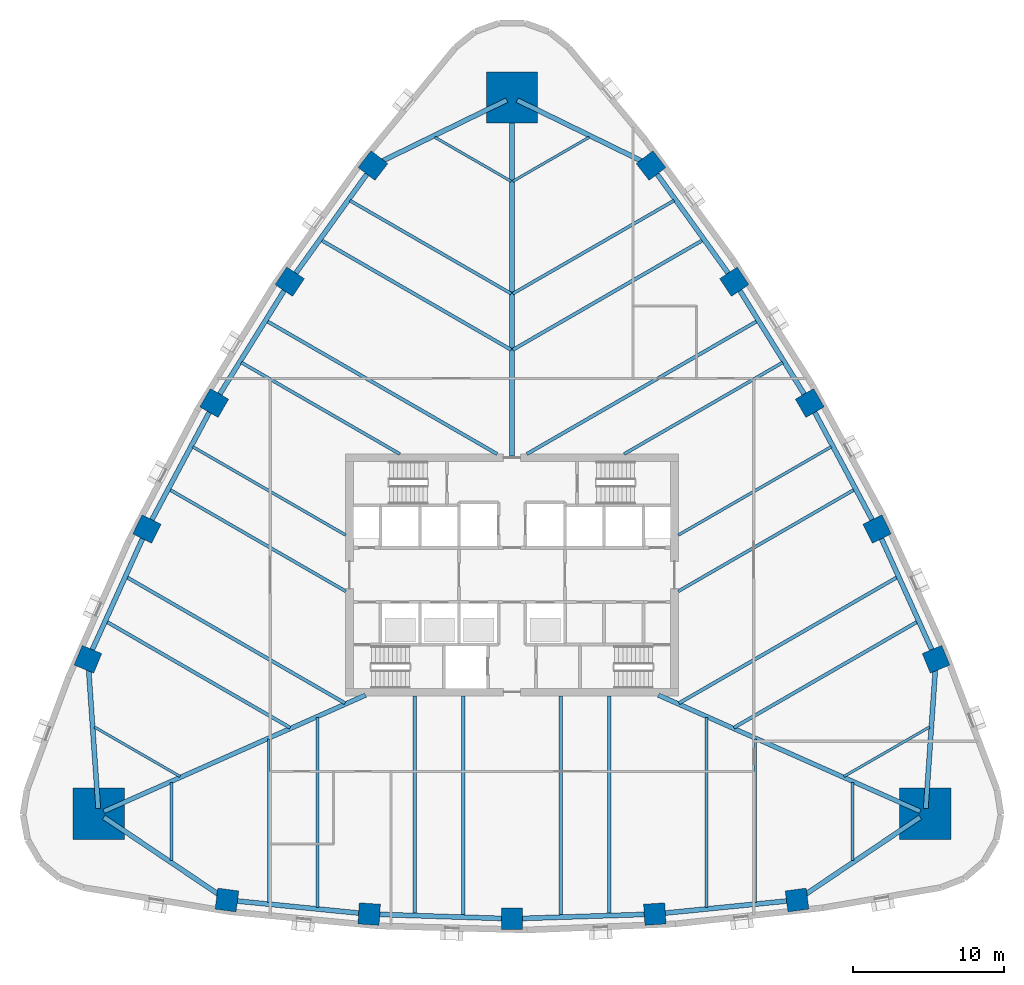
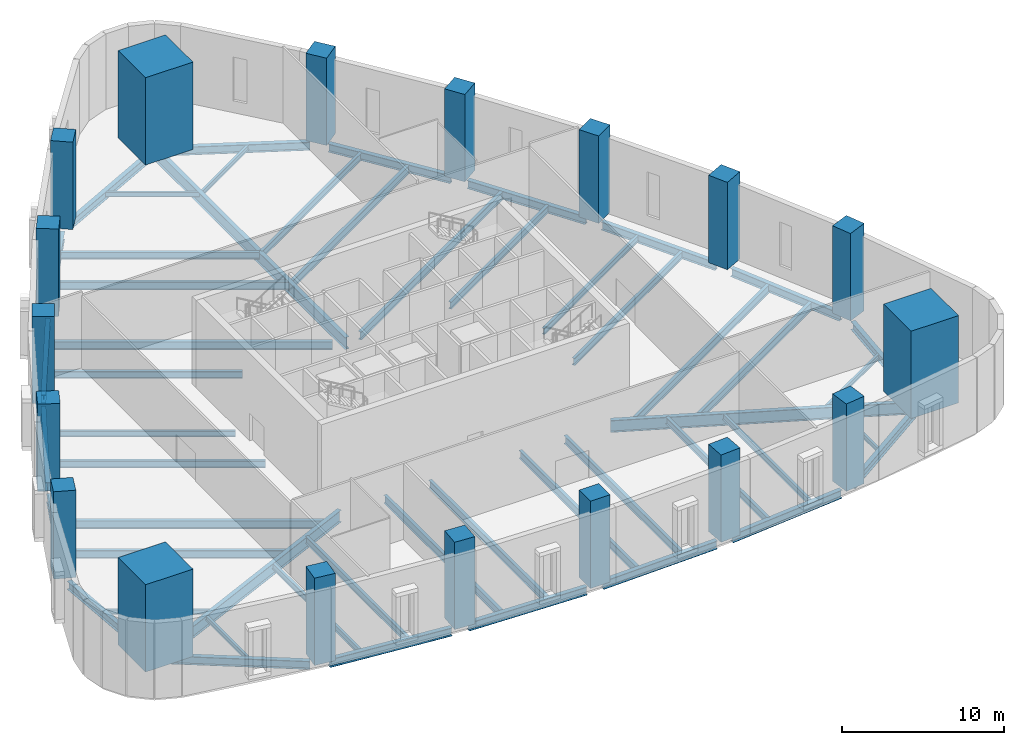
# One storey, part 1 of 11: 51 beams, 18 columns.
"""IFC4 building model written with IfcOpenShell, lengths in metres."""

from ifc_helpers import new_model, si_unit, direction, frame, origin, origin_2d, place, context, subcontext, project, spatial, rectangle, i_section, extrude, material, material_profile, profile_set, type_object, element, save


model = new_model("IFC4")

# Units and contexts
model_context = context("Model", 3, precision=1e-05, world=origin(), true_north=direction((0.0, 1.0)))
body_context = subcontext(model_context, "Body", "Model", "MODEL_VIEW")
ifc_project = project(units=[si_unit("LENGTHUNIT", "METRE"), si_unit("AREAUNIT", "SQUARE_METRE"), si_unit("VOLUMEUNIT", "CUBIC_METRE"), si_unit("PLANEANGLEUNIT", "RADIAN"), si_unit("MASSUNIT", "GRAM", prefix="KILO")], contexts=[model_context])

# Site, building, storey
site_placement = place(None, origin())
site = spatial("IfcSite", under=ifc_project, at=site_placement, CompositionType="ELEMENT")
building_placement = place(site_placement, origin())
building = spatial("IfcBuilding", under=site, at=building_placement, Name="Sierra Prisma Convention Tower", CompositionType="ELEMENT")
storey_placement = place(building_placement, frame((0.0, 0.0, 22.199951171875)))
storey = spatial("IfcBuildingStorey", under=building, at=storey_placement, Name="L03", CompositionType="ELEMENT", Elevation=22.199951171875)

# Columns
ifc_material_1 = material(Name="Concrete C70/85", Category="concrete")
ifc_material_profile_1 = material_profile(ifc_material_1, rectangle(XDim=3.39990234375, YDim=3.39990234375, at=origin_2d()), Name="Mega column RC 3400 C70/85")
ifc_profile_set_1 = profile_set([ifc_material_profile_1], Name="Concrete C70/85")
column_type_1 = type_object("IfcColumnType", Name="Mega column RC 3400 C70/85", PredefinedType="COLUMN", material=ifc_profile_set_1)
for number, where, z_axis, x_axis, name in (
    (1, (27.35498046875, -15.79345703125, 0.0), (0.0, 0.0, 1.0), (1.0, 0.0, 0.0), "Mega column SE L03"),
    (2, (0.0, 31.5869140625, 0.0), (0.0, 0.0, 1.0), (1.0, 0.0, 0.0), "Mega column N L03"),
    (3, (-27.35498046875, -15.79345703125, 0.0), (0.0, 0.0, 1.0), (1.0, 0.0, 0.0), "Mega column SW L03"),
):
    element("IfcColumn", number, at=place(storey_placement, frame(where, z_axis=z_axis, x_axis=x_axis)), inside=storey, type_object=column_type_1, Name=name, PredefinedType="COLUMN", context=body_context, shape_type="SweptSolid", body=[
        extrude(rectangle(XDim=3.39990234375, YDim=3.39990234375, at=origin_2d()), origin(), (0.0, 0.0, 1.0), 6.60009765625),
    ])
ifc_material_2 = material(Name="Concrete C70/85", Category="concrete")
ifc_material_profile_2 = material_profile(ifc_material_2, rectangle(XDim=1.39990234375, YDim=1.39990234375, at=origin_2d()), Name="Perimeter column RC 1400 C70/85")
ifc_profile_set_2 = profile_set([ifc_material_profile_2], Name="Concrete C70/85")
column_type_2 = type_object("IfcColumnType", Name="Perimeter column RC 1400 C70/85", PredefinedType="COLUMN", material=ifc_profile_set_2)
for number, where, z_axis, x_axis, name in (
    (4, (-18.85986328125, -21.50830078125, 0.0), (0.0, 0.0, 1.0), (-0.991367231014, 0.131114504428, 0.0), "Perimeter column S-1 L03"),
    (5, (-9.450439453125, -22.439208984375, 0.0), (0.0, 0.0, 1.0), (-0.997839473817, 0.06569919705, 0.0), "Perimeter column S-2 L03"),
    (6, (0.0, -22.75, 0.0), (0.0, 0.0, 1.0), (1.0, 0.0, 0.0), "Perimeter column S-3 L03"),
    (7, (9.450439453125, -22.439208984375, 0.0), (0.0, 0.0, 1.0), (0.997839473817, 0.06569919705, 0.0), "Perimeter column S-4 L03"),
    (8, (18.85986328125, -21.50830078125, 0.0), (0.0, 0.0, 1.0), (0.991367231014, 0.131114504428, 0.0), "Perimeter column S-5 L03"),
    (9, (28.056640625, -5.5791015625, 0.0), (0.0, 0.0, 1.0), (-0.382135123868, 0.924106458752, 0.0), "Perimeter column NE-1 L03"),
    (10, (24.158203125, 3.035400390625, 0.0), (0.0, 0.0, 1.0), (-0.442022563255, 0.897003931749, 0.0), "Perimeter column NE-2 L03"),
    (11, (19.7021484375, 11.375, 0.0), (0.0, 0.0, 1.0), (-0.5, 0.866025403784, 0.0), "Perimeter column NE-3 L03"),
    (12, (14.707763671875, 19.40380859375, 0.0), (0.0, 0.0, 1.0), (-0.555816910562, 0.8313047347, 0.0), "Perimeter column NE-4 L03"),
    (13, (9.19677734375, 27.08740234375, 0.0), (0.0, 0.0, 1.0), (-0.609232107146, 0.792991954324, 0.0), "Perimeter column NE-5 L03"),
    (14, (-9.19677734375, 27.08740234375, 0.0), (0.0, 0.0, 1.0), (0.609232107146, 0.792991954324, 0.0), "Perimeter column NW-1 L03"),
    (15, (-14.707763671875, 19.40380859375, 0.0), (0.0, 0.0, 1.0), (0.555816910562, 0.8313047347, 0.0), "Perimeter column NW-2 L03"),
    (16, (-19.7021484375, 11.375, 0.0), (0.0, 0.0, 1.0), (0.5, 0.866025403784, 0.0), "Perimeter column NW-3 L03"),
    (17, (-24.158203125, 3.035400390625, 0.0), (0.0, 0.0, 1.0), (0.442022563255, 0.897003931749, 0.0), "Perimeter column NW-4 L03"),
    (18, (-28.056640625, -5.5791015625, 0.0), (0.0, 0.0, 1.0), (0.382135123868, 0.924106458752, 0.0), "Perimeter column NW-5 L03"),
):
    element("IfcColumn", number, at=place(storey_placement, frame(where, z_axis=z_axis, x_axis=x_axis)), inside=storey, type_object=column_type_2, Name=name, PredefinedType="COLUMN", context=body_context, shape_type="SweptSolid", body=[
        extrude(rectangle(XDim=1.39990234375, YDim=1.39990234375, at=origin_2d()), origin(), (0.0, 0.0, 1.0), 6.60009765625),
    ])

# Beams
ifc_material_3 = material(Name="Steel ASTM A992 Gr 50", Category="steel")
ifc_material_profile_3 = material_profile(ifc_material_3, i_section(OverallWidth=0.172119140625, OverallDepth=0.35791015625, WebThickness=0.0078125, FlangeThickness=0.01318359375, at=origin_2d()), Name="W360x57")
ifc_profile_set_3 = profile_set([ifc_material_profile_3], Name="Steel ASTM A992 Gr 50")
beam_type_1 = type_object("IfcBeamType", Name="Floor joist W360x57", PredefinedType="JOIST", material=ifc_profile_set_3)
for number, where, z_axis, x_axis, name in (
    (19, (-22.52783203125, -18.89501953125, -0.428955078125), (0.0, 1.0, 0.0), (-1.0, 0.0, 0.0), "Floor joist L03 S02"),
    (20, (22.52783203125, -18.89501953125, -0.428955078125), (0.0, 1.0, 0.0), (-1.0, 0.0, 0.0), "Floor joist L03 S16"),
):
    element("IfcBeam", number, at=place(storey_placement, frame(where, z_axis=z_axis, x_axis=x_axis)), inside=storey, type_object=beam_type_1, Name=name, PredefinedType="JOIST", context=body_context, shape_type="SweptSolid", body=[
        extrude(i_section(OverallWidth=0.172119140625, OverallDepth=0.35791015625, WebThickness=0.0078125, FlangeThickness=0.01318359375, at=origin_2d()), origin(), (0.0, 0.0, 1.0), 5.177978515625),
    ])
beam_1_placement = place(storey_placement, frame((27.62744140625, -10.06201171875, -0.428955078125), z_axis=(-0.866022747659, -0.500004600516, 0.0), x_axis=(0.500004600516, -0.866022747659, 0.0)))
element("IfcBeam", 21, at=beam_1_placement, inside=storey, type_object=beam_type_1, Name="Floor joist L03 NE02", PredefinedType="JOIST", context=body_context, shape_type="SweptSolid", body=[
    extrude(i_section(OverallWidth=0.172119140625, OverallDepth=0.35791015625, WebThickness=0.0078125, FlangeThickness=0.01318359375, at=origin_2d()), origin(), (0.0, 0.0, 1.0), 6.54150390625),
])
for number, where, z_axis, x_axis, name in (
    (22, (5.099609375, 28.95703125, -0.428955078125), (-0.866024171998, -0.500002133511, 0.0), (0.500002133511, -0.866024171998, 0.0), "Floor joist L03 NE16"),
    (23, (-5.099609375, 28.95703125, -0.428955078125), (0.866024171998, -0.500002133511, 0.0), (0.500002133511, 0.866024171998, 0.0), "Floor joist L03 NW02"),
):
    element("IfcBeam", number, at=place(storey_placement, frame(where, z_axis=z_axis, x_axis=x_axis)), inside=storey, type_object=beam_type_1, Name=name, PredefinedType="JOIST", context=body_context, shape_type="SweptSolid", body=[
        extrude(i_section(OverallWidth=0.172119140625, OverallDepth=0.35791015625, WebThickness=0.0078125, FlangeThickness=0.01318359375, at=origin_2d()), origin(), (0.0, 0.0, 1.0), 5.818359375),
    ])
beam_2_placement = place(storey_placement, frame((-27.62744140625, -10.06201171875, -0.428955078125), z_axis=(0.866022747659, -0.500004600516, 0.0), x_axis=(0.500004600516, 0.866022747659, 0.0)))
element("IfcBeam", 24, at=beam_2_placement, inside=storey, type_object=beam_type_1, Name="Floor joist L03 NW16", PredefinedType="JOIST", context=body_context, shape_type="SweptSolid", body=[
    extrude(i_section(OverallWidth=0.172119140625, OverallDepth=0.35791015625, WebThickness=0.0078125, FlangeThickness=0.01318359375, at=origin_2d()), origin(), (0.0, 0.0, 1.0), 6.54150390625),
])
ifc_material_4 = material(Name="Steel ASTM A992 Gr 50", Category="steel")
ifc_material_profile_4 = material_profile(ifc_material_4, i_section(OverallWidth=0.18994140625, OverallDepth=0.45703125, WebThickness=0.009033203125, FlangeThickness=0.014404296875, at=origin_2d()), Name="W460x74")
ifc_profile_set_4 = profile_set([ifc_material_profile_4], Name="Steel ASTM A992 Gr 50")
beam_type_2 = type_object("IfcBeamType", Name="Floor joist W460x74", PredefinedType="JOIST", material=ifc_profile_set_4)
for number, where, z_axis, x_axis, name in (
    (25, (-16.09130859375, -21.6689453125, -0.478515625), (0.0, 1.0, 0.0), (-1.0, 0.0, 0.0), "Floor joist L03 S04"),
    (26, (16.09130859375, -21.6689453125, -0.478515625), (0.0, 1.0, 0.0), (-1.0, 0.0, 0.0), "Floor joist L03 S14"),
):
    element("IfcBeam", number, at=place(storey_placement, frame(where, z_axis=z_axis, x_axis=x_axis)), inside=storey, type_object=beam_type_2, Name=name, PredefinedType="JOIST", context=body_context, shape_type="SweptSolid", body=[
        extrude(i_section(OverallWidth=0.18994140625, OverallDepth=0.45703125, WebThickness=0.009033203125, FlangeThickness=0.014404296875, at=origin_2d()), origin(), (0.0, 0.0, 1.0), 10.8095703125),
    ])
for number, where, z_axis, x_axis, name in (
    (27, (21.1220703125, 8.478759765625, -0.478515625), (-0.866024880635, -0.500000906121, 0.0), (0.500000906121, -0.866024880635, 0.0), "Floor joist L03 NE08"),
    (28, (-21.1220703125, 8.478759765625, -0.478515625), (0.866024880635, -0.500000906121, 0.0), (0.500000906121, 0.866024880635, 0.0), "Floor joist L03 NW10"),
):
    element("IfcBeam", number, at=place(storey_placement, frame(where, z_axis=z_axis, x_axis=x_axis)), inside=storey, type_object=beam_type_2, Name=name, PredefinedType="JOIST", context=body_context, shape_type="SweptSolid", body=[
        extrude(i_section(OverallWidth=0.18994140625, OverallDepth=0.45703125, WebThickness=0.009033203125, FlangeThickness=0.014404296875, at=origin_2d()), origin(), (0.0, 0.0, 1.0), 11.68798828125),
    ])
ifc_material_5 = material(Name="Steel ASTM A992 Gr 50", Category="steel")
ifc_material_profile_5 = material_profile(ifc_material_5, i_section(OverallWidth=0.208984375, OverallDepth=0.532958984375, WebThickness=0.01025390625, FlangeThickness=0.015625, at=origin_2d()), Name="W530x92")
ifc_profile_set_5 = profile_set([ifc_material_profile_5], Name="Steel ASTM A992 Gr 50")
beam_type_3 = type_object("IfcBeamType", Name="Floor joist W530x92", PredefinedType="JOIST", material=ifc_profile_set_5)
for number, where, z_axis, x_axis, name in (
    (29, (-12.873046875, -21.9873046875, -0.516357421875), (0.0, 1.0, 0.0), (-1.0, 0.0, 0.0), "Floor joist L03 S05"),
    (30, (12.873046875, -21.9873046875, -0.516357421875), (0.0, 1.0, 0.0), (-1.0, 0.0, 0.0), "Floor joist L03 S13"),
):
    element("IfcBeam", number, at=place(storey_placement, frame(where, z_axis=z_axis, x_axis=x_axis)), inside=storey, type_object=beam_type_3, Name=name, PredefinedType="JOIST", context=body_context, shape_type="SweptSolid", body=[
        extrude(i_section(OverallWidth=0.208984375, OverallDepth=0.532958984375, WebThickness=0.01025390625, FlangeThickness=0.015625, at=origin_2d()), origin(), (0.0, 0.0, 1.0), 12.556640625),
    ])
beam_3_placement = place(storey_placement, frame((22.639404296875, 5.638671875, -0.516357421875), z_axis=(-0.866026773083, -0.499997628298, 0.0), x_axis=(0.499997628298, -0.866026773083, 0.0)))
element("IfcBeam", 31, at=beam_3_placement, inside=storey, type_object=beam_type_3, Name="Floor joist L03 NE07", PredefinedType="JOIST", context=body_context, shape_type="SweptSolid", body=[
    extrude(i_section(OverallWidth=0.208984375, OverallDepth=0.532958984375, WebThickness=0.01025390625, FlangeThickness=0.015625, at=origin_2d()), origin(), (0.0, 0.0, 1.0), 13.43994140625),
])
beam_4_placement = place(storey_placement, frame((17.90380859375, 14.052978515625, -0.516357421875), z_axis=(-0.866021694642, -0.500006424369, 0.0), x_axis=(0.500006424369, -0.866021694642, 0.0)))
element("IfcBeam", 32, at=beam_4_placement, inside=storey, type_object=beam_type_3, Name="Floor joist L03 NE10", PredefinedType="JOIST", context=body_context, shape_type="SweptSolid", body=[
    extrude(i_section(OverallWidth=0.208984375, OverallDepth=0.532958984375, WebThickness=0.01025390625, FlangeThickness=0.015625, at=origin_2d()), origin(), (0.0, 0.0, 1.0), 12.105712890625),
])
for number, where, z_axis, x_axis, name in (
    (33, (10.72021484375, 24.769775390625, -0.516357421875), (-0.866031330991, -0.499989733636, 0.0), (0.499989733636, -0.866031330991, 0.0), "Floor joist L03 NE14"),
    (34, (-10.72021484375, 24.769775390625, -0.516357421875), (0.866031330991, -0.499989733636, 0.0), (0.499989733636, 0.866031330991, 0.0), "Floor joist L03 NW04"),
):
    element("IfcBeam", number, at=place(storey_placement, frame(where, z_axis=z_axis, x_axis=x_axis)), inside=storey, type_object=beam_type_3, Name=name, PredefinedType="JOIST", context=body_context, shape_type="SweptSolid", body=[
        extrude(i_section(OverallWidth=0.208984375, OverallDepth=0.532958984375, WebThickness=0.01025390625, FlangeThickness=0.015625, at=origin_2d()), origin(), (0.0, 0.0, 1.0), 12.308349609375),
    ])
beam_5_placement = place(storey_placement, frame((-17.90380859375, 14.052978515625, -0.516357421875), z_axis=(0.866021694642, -0.500006424369, 0.0), x_axis=(0.500006424369, 0.866021694642, 0.0)))
element("IfcBeam", 35, at=beam_5_placement, inside=storey, type_object=beam_type_3, Name="Floor joist L03 NW08", PredefinedType="JOIST", context=body_context, shape_type="SweptSolid", body=[
    extrude(i_section(OverallWidth=0.208984375, OverallDepth=0.532958984375, WebThickness=0.01025390625, FlangeThickness=0.015625, at=origin_2d()), origin(), (0.0, 0.0, 1.0), 12.105712890625),
])
beam_6_placement = place(storey_placement, frame((-22.639404296875, 5.638671875, -0.516357421875), z_axis=(0.866026773083, -0.499997628298, 0.0), x_axis=(0.499997628298, 0.866026773083, 0.0)))
element("IfcBeam", 36, at=beam_6_placement, inside=storey, type_object=beam_type_3, Name="Floor joist L03 NW11", PredefinedType="JOIST", context=body_context, shape_type="SweptSolid", body=[
    extrude(i_section(OverallWidth=0.208984375, OverallDepth=0.532958984375, WebThickness=0.01025390625, FlangeThickness=0.015625, at=origin_2d()), origin(), (0.0, 0.0, 1.0), 13.43994140625),
])
ifc_material_6 = material(Name="Steel ASTM A992 Gr 50", Category="steel")
ifc_material_profile_6 = material_profile(ifc_material_6, i_section(OverallWidth=0.22802734375, OverallDepth=0.60302734375, WebThickness=0.010498046875, FlangeThickness=0.014892578125, at=origin_2d()), Name="W610x101")
ifc_profile_set_6 = profile_set([ifc_material_profile_6], Name="Steel ASTM A992 Gr 50")
beam_type_4 = type_object("IfcBeamType", Name="Floor joist W610x101", PredefinedType="JOIST", material=ifc_profile_set_6)
beam_7_placement = place(storey_placement, frame((-6.4365234375, -22.42578125, -0.551513671875), z_axis=(0.0, 1.0, 0.0), x_axis=(-1.0, 0.0, 0.0)))
element("IfcBeam", 37, at=beam_7_placement, inside=storey, type_object=beam_type_4, Name="Floor joist L03 S07", PredefinedType="JOIST", context=body_context, shape_type="SweptSolid", body=[
    extrude(i_section(OverallWidth=0.22802734375, OverallDepth=0.60302734375, WebThickness=0.010498046875, FlangeThickness=0.014892578125, at=origin_2d()), origin(), (0.0, 0.0, 1.0), 14.42578125),
])
for number, where, z_axis, x_axis, name in (
    (38, (-3.21826171875, -22.531494140625, -0.551513671875), (0.0, 1.0, 0.0), (-1.0, 0.0, 0.0), "Floor joist L03 S08"),
    (39, (3.21826171875, -22.531494140625, -0.551513671875), (0.0, 1.0, 0.0), (-1.0, 0.0, 0.0), "Floor joist L03 S10"),
):
    element("IfcBeam", number, at=place(storey_placement, frame(where, z_axis=z_axis, x_axis=x_axis)), inside=storey, type_object=beam_type_4, Name=name, PredefinedType="JOIST", context=body_context, shape_type="SweptSolid", body=[
        extrude(i_section(OverallWidth=0.22802734375, OverallDepth=0.60302734375, WebThickness=0.010498046875, FlangeThickness=0.014892578125, at=origin_2d()), origin(), (0.0, 0.0, 1.0), 14.531494140625),
    ])
beam_8_placement = place(storey_placement, frame((6.4365234375, -22.42578125, -0.551513671875), z_axis=(0.0, 1.0, 0.0), x_axis=(-1.0, 0.0, 0.0)))
element("IfcBeam", 40, at=beam_8_placement, inside=storey, type_object=beam_type_4, Name="Floor joist L03 S11", PredefinedType="JOIST", context=body_context, shape_type="SweptSolid", body=[
    extrude(i_section(OverallWidth=0.22802734375, OverallDepth=0.60302734375, WebThickness=0.010498046875, FlangeThickness=0.014892578125, at=origin_2d()), origin(), (0.0, 0.0, 1.0), 14.42578125),
])
beam_9_placement = place(storey_placement, frame((26.8115234375, -3.10107421875, -0.551513671875), z_axis=(-0.866032862007, -0.499987081758, 0.0), x_axis=(0.499987081758, -0.866032862007, 0.0)))
element("IfcBeam", 41, at=beam_9_placement, inside=storey, type_object=beam_type_4, Name="Floor joist L03 NE04", PredefinedType="JOIST", context=body_context, shape_type="SweptSolid", body=[
    extrude(i_section(OverallWidth=0.22802734375, OverallDepth=0.60302734375, WebThickness=0.010498046875, FlangeThickness=0.014892578125, at=origin_2d()), origin(), (0.0, 0.0, 1.0), 14.002197265625),
])
beam_10_placement = place(storey_placement, frame((25.47802734375, -0.15478515625, -0.551513671875), z_axis=(-0.866027491634, -0.499996383721, 0.0), x_axis=(0.499996383721, -0.866027491634, 0.0)))
element("IfcBeam", 42, at=beam_10_placement, inside=storey, type_object=beam_type_4, Name="Floor joist L03 NE05", PredefinedType="JOIST", context=body_context, shape_type="SweptSolid", body=[
    extrude(i_section(OverallWidth=0.22802734375, OverallDepth=0.60302734375, WebThickness=0.010498046875, FlangeThickness=0.014892578125, at=origin_2d()), origin(), (0.0, 0.0, 1.0), 16.6640625),
])
beam_11_placement = place(storey_placement, frame((16.203125, 16.787109375, -0.551513671875), z_axis=(-0.866025498715, -0.499999835575, 0.0), x_axis=(0.499999835575, -0.866025498715, 0.0)))
element("IfcBeam", 43, at=beam_11_placement, inside=storey, type_object=beam_type_4, Name="Floor joist L03 NE11", PredefinedType="JOIST", context=body_context, shape_type="SweptSolid", body=[
    extrude(i_section(OverallWidth=0.22802734375, OverallDepth=0.60302734375, WebThickness=0.010498046875, FlangeThickness=0.014892578125, at=origin_2d()), origin(), (0.0, 0.0, 1.0), 17.57421875),
])
for number, where, z_axis, x_axis, name in (
    (44, (12.60498046875, 22.14208984375, -0.551513671875), (-0.866024193569, -0.500002096149, 0.0), (0.500002096149, -0.866024193569, 0.0), "Floor joist L03 NE13"),
    (45, (-12.60498046875, 22.14208984375, -0.551513671875), (0.866024193569, -0.500002096149, 0.0), (0.500002096149, 0.866024193569, 0.0), "Floor joist L03 NW05"),
):
    element("IfcBeam", number, at=place(storey_placement, frame(where, z_axis=z_axis, x_axis=x_axis)), inside=storey, type_object=beam_type_4, Name=name, PredefinedType="JOIST", context=body_context, shape_type="SweptSolid", body=[
        extrude(i_section(OverallWidth=0.22802734375, OverallDepth=0.60302734375, WebThickness=0.010498046875, FlangeThickness=0.014892578125, at=origin_2d()), origin(), (0.0, 0.0, 1.0), 14.48486328125),
    ])
beam_12_placement = place(storey_placement, frame((-16.203125, 16.787109375, -0.551513671875), z_axis=(0.866025498715, -0.499999835575, 0.0), x_axis=(0.499999835575, 0.866025498715, 0.0)))
element("IfcBeam", 46, at=beam_12_placement, inside=storey, type_object=beam_type_4, Name="Floor joist L03 NW07", PredefinedType="JOIST", context=body_context, shape_type="SweptSolid", body=[
    extrude(i_section(OverallWidth=0.22802734375, OverallDepth=0.60302734375, WebThickness=0.010498046875, FlangeThickness=0.014892578125, at=origin_2d()), origin(), (0.0, 0.0, 1.0), 17.57421875),
])
beam_13_placement = place(storey_placement, frame((-25.47802734375, -0.15478515625, -0.551513671875), z_axis=(0.866027491634, -0.499996383721, 0.0), x_axis=(0.499996383721, 0.866027491634, 0.0)))
element("IfcBeam", 47, at=beam_13_placement, inside=storey, type_object=beam_type_4, Name="Floor joist L03 NW13", PredefinedType="JOIST", context=body_context, shape_type="SweptSolid", body=[
    extrude(i_section(OverallWidth=0.22802734375, OverallDepth=0.60302734375, WebThickness=0.010498046875, FlangeThickness=0.014892578125, at=origin_2d()), origin(), (0.0, 0.0, 1.0), 16.6640625),
])
beam_14_placement = place(storey_placement, frame((-26.8115234375, -3.10107421875, -0.551513671875), z_axis=(0.866032862007, -0.499987081758, 0.0), x_axis=(0.499987081758, 0.866032862007, 0.0)))
element("IfcBeam", 48, at=beam_14_placement, inside=storey, type_object=beam_type_4, Name="Floor joist L03 NW14", PredefinedType="JOIST", context=body_context, shape_type="SweptSolid", body=[
    extrude(i_section(OverallWidth=0.22802734375, OverallDepth=0.60302734375, WebThickness=0.010498046875, FlangeThickness=0.014892578125, at=origin_2d()), origin(), (0.0, 0.0, 1.0), 14.002197265625),
])
ifc_material_7 = material(Name="Steel ASTM A992 Gr 50", Category="steel")
ifc_material_profile_7 = material_profile(ifc_material_7, i_section(OverallWidth=0.303955078125, OverallDepth=0.903076171875, WebThickness=0.01513671875, FlangeThickness=0.02001953125, at=origin_2d()), Name="W920x201")
ifc_profile_set_7 = profile_set([ifc_material_profile_7], Name="Steel ASTM A992 Gr 50")
beam_type_5 = type_object("IfcBeamType", Name="Radial girder W920x201", PredefinedType="BEAM", material=ifc_profile_set_7)
beam_15_placement = place(storey_placement, frame((27.01513671875, -15.642578125, -0.701416015625), z_axis=(-0.91398196052, 0.405754822331, 0.0), x_axis=(-0.405754822331, -0.91398196052, 0.0)))
element("IfcBeam", 49, at=beam_15_placement, inside=storey, type_object=beam_type_5, Name="Radial girder L03 SE", PredefinedType="BEAM", context=body_context, shape_type="SweptSolid", body=[
    extrude(i_section(OverallWidth=0.303955078125, OverallDepth=0.903076171875, WebThickness=0.01513671875, FlangeThickness=0.02001953125, at=origin_2d()), origin(), (0.0, 0.0, 1.0), 18.955078125),
])
beam_16_placement = place(storey_placement, frame((0.0, 31.2470703125, -0.701416015625), z_axis=(0.0, -1.0, 0.0), x_axis=(1.0, 0.0, 0.0)))
element("IfcBeam", 50, at=beam_16_placement, inside=storey, type_object=beam_type_5, Name="Radial girder L03 N", PredefinedType="BEAM", context=body_context, shape_type="SweptSolid", body=[
    extrude(i_section(OverallWidth=0.303955078125, OverallDepth=0.903076171875, WebThickness=0.01513671875, FlangeThickness=0.02001953125, at=origin_2d()), origin(), (0.0, 0.0, 1.0), 23.3671875),
])
beam_17_placement = place(storey_placement, frame((-27.01513671875, -15.642578125, -0.701416015625), z_axis=(0.91398196052, 0.405754822331, 0.0), x_axis=(-0.405754822331, 0.91398196052, 0.0)))
element("IfcBeam", 51, at=beam_17_placement, inside=storey, type_object=beam_type_5, Name="Radial girder L03 SW", PredefinedType="BEAM", context=body_context, shape_type="SweptSolid", body=[
    extrude(i_section(OverallWidth=0.303955078125, OverallDepth=0.903076171875, WebThickness=0.01513671875, FlangeThickness=0.02001953125, at=origin_2d()), origin(), (0.0, 0.0, 1.0), 18.955078125),
])
ifc_material_8 = material(Name="Steel ASTM A992 Gr 50", Category="steel")
ifc_material_profile_8 = material_profile(ifc_material_8, i_section(OverallWidth=0.324951171875, OverallDepth=0.615966796875, WebThickness=0.013916015625, FlangeThickness=0.021484375, at=origin_2d()), Name="W610x174")
ifc_profile_set_8 = profile_set([ifc_material_profile_8], Name="Steel ASTM A992 Gr 50")
beam_type_6 = type_object("IfcBeamType", Name="Spandrel beam W610x174", PredefinedType="BEAM", material=ifc_profile_set_8)
beam_18_placement = place(storey_placement, frame((-27.01513671875, -16.022216796875, -0.557861328125), z_axis=(0.829740498665, -0.558149357139, 0.0), x_axis=(0.558149357139, 0.829740498665, 0.0)))
element("IfcBeam", 52, at=beam_18_placement, inside=storey, type_object=beam_type_6, Name="Spandrel L03-01", PredefinedType="BEAM", context=body_context, shape_type="SweptSolid", body=[
    extrude(i_section(OverallWidth=0.324951171875, OverallDepth=0.615966796875, WebThickness=0.013916015625, FlangeThickness=0.021484375, at=origin_2d()), origin(), (0.0, 0.0, 1.0), 9.167236328125),
])
beam_19_placement = place(storey_placement, frame((-18.2822265625, -21.5654296875, -0.557861328125), z_axis=(0.99514126278, -0.098457438079, 0.0), x_axis=(0.098457438079, 0.99514126278, 0.0)))
element("IfcBeam", 53, at=beam_19_placement, inside=storey, type_object=beam_type_6, Name="Spandrel L03-02", PredefinedType="BEAM", context=body_context, shape_type="SweptSolid", body=[
    extrude(i_section(OverallWidth=0.324951171875, OverallDepth=0.615966796875, WebThickness=0.013916015625, FlangeThickness=0.021484375, at=origin_2d()), origin(), (0.0, 0.0, 1.0), 8.29443359375),
])
for number, where, z_axis, x_axis, name in (
    (54, (-8.870361328125, -22.458251953125, -0.557861328125), (0.999459413184, -0.032876760742, 0.0), (0.032876760742, 0.999459413184, 0.0), "Spandrel L03-03"),
    (55, (0.580078125, -22.73095703125, -0.557861328125), (0.999459413184, 0.032876760742, 0.0), (-0.032876760742, 0.999459413184, 0.0), "Spandrel L03-04"),
):
    element("IfcBeam", number, at=place(storey_placement, frame(where, z_axis=z_axis, x_axis=x_axis)), inside=storey, type_object=beam_type_6, Name=name, PredefinedType="BEAM", context=body_context, shape_type="SweptSolid", body=[
        extrude(i_section(OverallWidth=0.324951171875, OverallDepth=0.615966796875, WebThickness=0.013916015625, FlangeThickness=0.021484375, at=origin_2d()), origin(), (0.0, 0.0, 1.0), 8.294677734375),
    ])
beam_20_placement = place(storey_placement, frame((10.028076171875, -22.382080078125, -0.557861328125), z_axis=(0.99514126278, 0.098457438079, 0.0), x_axis=(-0.098457438079, 0.99514126278, 0.0)))
element("IfcBeam", 56, at=beam_20_placement, inside=storey, type_object=beam_type_6, Name="Spandrel L03-05", PredefinedType="BEAM", context=body_context, shape_type="SweptSolid", body=[
    extrude(i_section(OverallWidth=0.324951171875, OverallDepth=0.615966796875, WebThickness=0.013916015625, FlangeThickness=0.021484375, at=origin_2d()), origin(), (0.0, 0.0, 1.0), 8.29443359375),
])
beam_21_placement = place(storey_placement, frame((19.40869140625, -21.138916015625, -0.557861328125), z_axis=(0.829740498665, 0.558149357139, 0.0), x_axis=(-0.558149357139, 0.829740498665, 0.0)))
element("IfcBeam", 57, at=beam_21_placement, inside=storey, type_object=beam_type_6, Name="Spandrel L03-06", PredefinedType="BEAM", context=body_context, shape_type="SweptSolid", body=[
    extrude(i_section(OverallWidth=0.324951171875, OverallDepth=0.615966796875, WebThickness=0.013916015625, FlangeThickness=0.021484375, at=origin_2d()), origin(), (0.0, 0.0, 1.0), 9.167236328125),
])
beam_22_placement = place(storey_placement, frame((27.37841796875, -15.453369140625, -0.557861328125), z_axis=(0.06851541914, 0.997650057555, 0.0), x_axis=(-0.997650057555, 0.06851541914, 0.0)))
element("IfcBeam", 58, at=beam_22_placement, inside=storey, type_object=beam_type_6, Name="Spandrel L03-07", PredefinedType="BEAM", context=body_context, shape_type="SweptSolid", body=[
    extrude(i_section(OverallWidth=0.324951171875, OverallDepth=0.615966796875, WebThickness=0.013916015625, FlangeThickness=0.021484375, at=origin_2d()), origin(), (0.0, 0.0, 1.0), 9.236083984375),
])
beam_23_placement = place(storey_placement, frame((27.8173828125, -5.05029296875, -0.557861328125), z_axis=(-0.41230108384, 0.911047647637, 0.0), x_axis=(-0.911047647637, -0.41230108384, 0.0)))
element("IfcBeam", 59, at=beam_23_placement, inside=storey, type_object=beam_type_6, Name="Spandrel L03-08", PredefinedType="BEAM", context=body_context, shape_type="SweptSolid", body=[
    extrude(i_section(OverallWidth=0.324951171875, OverallDepth=0.615966796875, WebThickness=0.013916015625, FlangeThickness=0.021484375, at=origin_2d()), origin(), (0.0, 0.0, 1.0), 8.294677734375),
])
beam_24_placement = place(storey_placement, frame((23.884521484375, 3.54736328125, -0.557861328125), z_axis=(-0.471267929576, 0.881990101165, 0.0), x_axis=(-0.881990101165, -0.471267929576, 0.0)))
element("IfcBeam", 60, at=beam_24_placement, inside=storey, type_object=beam_type_6, Name="Spandrel L03-09", PredefinedType="BEAM", context=body_context, shape_type="SweptSolid", body=[
    extrude(i_section(OverallWidth=0.324951171875, OverallDepth=0.615966796875, WebThickness=0.013916015625, FlangeThickness=0.021484375, at=origin_2d()), origin(), (0.0, 0.0, 1.0), 8.29443359375),
])
beam_25_placement = place(storey_placement, frame((19.3955078125, 11.867919921875, -0.557861328125), z_axis=(-0.528185415417, 0.849129063771, 0.0), x_axis=(-0.849129063771, -0.528185415417, 0.0)))
element("IfcBeam", 61, at=beam_25_placement, inside=storey, type_object=beam_type_6, Name="Spandrel L03-10", PredefinedType="BEAM", context=body_context, shape_type="SweptSolid", body=[
    extrude(i_section(OverallWidth=0.324951171875, OverallDepth=0.615966796875, WebThickness=0.013916015625, FlangeThickness=0.021484375, at=origin_2d()), origin(), (0.0, 0.0, 1.0), 8.294677734375),
])
beam_26_placement = place(storey_placement, frame((14.36962890625, 19.87548828125, -0.557861328125), z_axis=(-0.582854647492, 0.812576433265, 0.0), x_axis=(-0.812576433265, -0.582854647492, 0.0)))
element("IfcBeam", 62, at=beam_26_placement, inside=storey, type_object=beam_type_6, Name="Spandrel L03-11", PredefinedType="BEAM", context=body_context, shape_type="SweptSolid", body=[
    extrude(i_section(OverallWidth=0.324951171875, OverallDepth=0.615966796875, WebThickness=0.013916015625, FlangeThickness=0.021484375, at=origin_2d()), origin(), (0.0, 0.0, 1.0), 8.294921875),
])
for number, where, z_axis, x_axis, name in (
    (63, (8.6025390625, 27.3779296875, -0.557861328125), (-0.89824258339, 0.439500012952, 0.0), (-0.439500012952, -0.89824258339, 0.0), "Spandrel L03-12"),
    (64, (-0.340087890625, 31.420654296875, -0.557861328125), (-0.89824258339, -0.439500012952, 0.0), (0.439500012952, -0.89824258339, 0.0), "Spandrel L03-13"),
):
    element("IfcBeam", number, at=place(storey_placement, frame(where, z_axis=z_axis, x_axis=x_axis)), inside=storey, type_object=beam_type_6, Name=name, PredefinedType="BEAM", context=body_context, shape_type="SweptSolid", body=[
        extrude(i_section(OverallWidth=0.324951171875, OverallDepth=0.615966796875, WebThickness=0.013916015625, FlangeThickness=0.021484375, at=origin_2d()), origin(), (0.0, 0.0, 1.0), 9.198486328125),
    ])
beam_27_placement = place(storey_placement, frame((-9.534912109375, 26.61572265625, -0.557861328125), z_axis=(-0.582854647492, -0.812576433265, 0.0), x_axis=(0.812576433265, -0.582854647492, 0.0)))
element("IfcBeam", 65, at=beam_27_placement, inside=storey, type_object=beam_type_6, Name="Spandrel L03-14", PredefinedType="BEAM", context=body_context, shape_type="SweptSolid", body=[
    extrude(i_section(OverallWidth=0.324951171875, OverallDepth=0.615966796875, WebThickness=0.013916015625, FlangeThickness=0.021484375, at=origin_2d()), origin(), (0.0, 0.0, 1.0), 8.294921875),
])
beam_28_placement = place(storey_placement, frame((-15.014404296875, 18.9111328125, -0.557861328125), z_axis=(-0.528185415417, -0.849129063771, 0.0), x_axis=(0.849129063771, -0.528185415417, 0.0)))
element("IfcBeam", 66, at=beam_28_placement, inside=storey, type_object=beam_type_6, Name="Spandrel L03-15", PredefinedType="BEAM", context=body_context, shape_type="SweptSolid", body=[
    extrude(i_section(OverallWidth=0.324951171875, OverallDepth=0.615966796875, WebThickness=0.013916015625, FlangeThickness=0.021484375, at=origin_2d()), origin(), (0.0, 0.0, 1.0), 8.294677734375),
])
beam_29_placement = place(storey_placement, frame((-19.9755859375, 10.863037109375, -0.557861328125), z_axis=(-0.471267929576, -0.881990101165, 0.0), x_axis=(0.881990101165, -0.471267929576, 0.0)))
element("IfcBeam", 67, at=beam_29_placement, inside=storey, type_object=beam_type_6, Name="Spandrel L03-16", PredefinedType="BEAM", context=body_context, shape_type="SweptSolid", body=[
    extrude(i_section(OverallWidth=0.324951171875, OverallDepth=0.615966796875, WebThickness=0.013916015625, FlangeThickness=0.021484375, at=origin_2d()), origin(), (0.0, 0.0, 1.0), 8.29443359375),
])
beam_30_placement = place(storey_placement, frame((-24.3974609375, 2.506591796875, -0.557861328125), z_axis=(-0.41230108384, -0.911047647637, 0.0), x_axis=(0.911047647637, -0.41230108384, 0.0)))
element("IfcBeam", 68, at=beam_30_placement, inside=storey, type_object=beam_type_6, Name="Spandrel L03-17", PredefinedType="BEAM", context=body_context, shape_type="SweptSolid", body=[
    extrude(i_section(OverallWidth=0.324951171875, OverallDepth=0.615966796875, WebThickness=0.013916015625, FlangeThickness=0.021484375, at=origin_2d()), origin(), (0.0, 0.0, 1.0), 8.294677734375),
])
beam_31_placement = place(storey_placement, frame((-28.01123046875, -6.239013671875, -0.557861328125), z_axis=(0.06851541914, -0.997650057555, 0.0), x_axis=(0.997650057555, 0.06851541914, 0.0)))
element("IfcBeam", 69, at=beam_31_placement, inside=storey, type_object=beam_type_6, Name="Spandrel L03-18", PredefinedType="BEAM", context=body_context, shape_type="SweptSolid", body=[
    extrude(i_section(OverallWidth=0.324951171875, OverallDepth=0.615966796875, WebThickness=0.013916015625, FlangeThickness=0.021484375, at=origin_2d()), origin(), (0.0, 0.0, 1.0), 9.236083984375),
])

save(model, "model.ifc")
